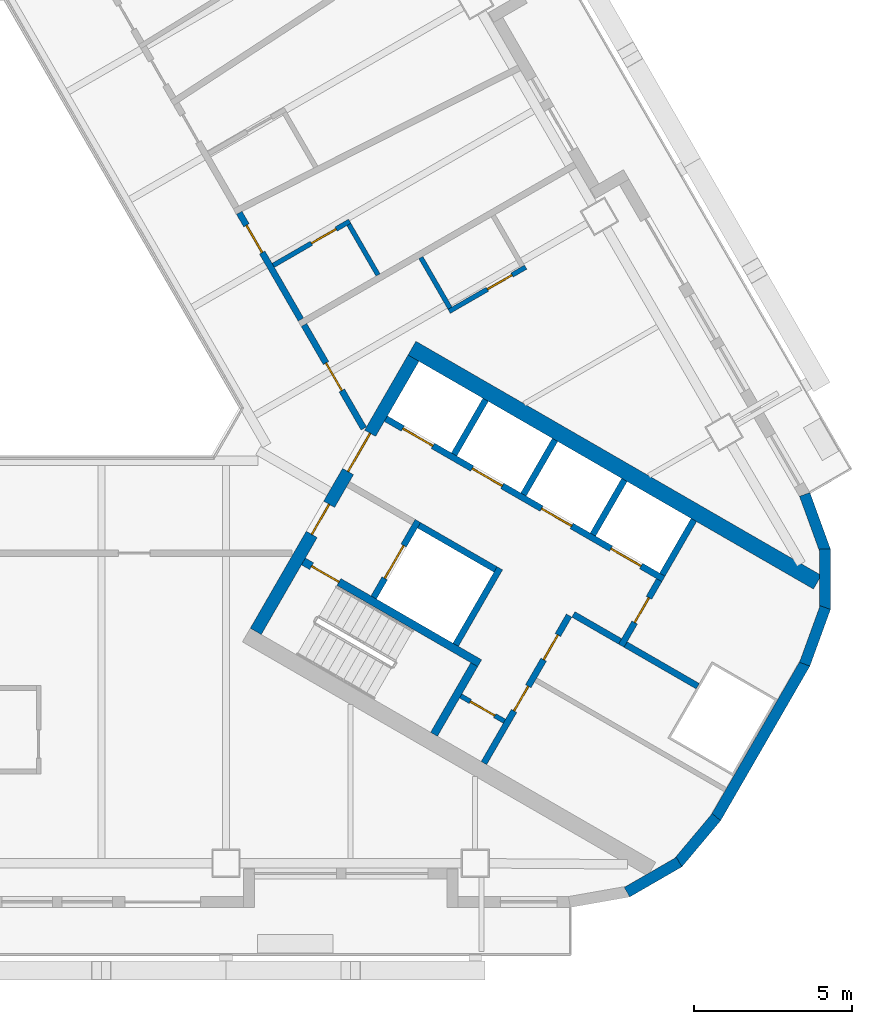
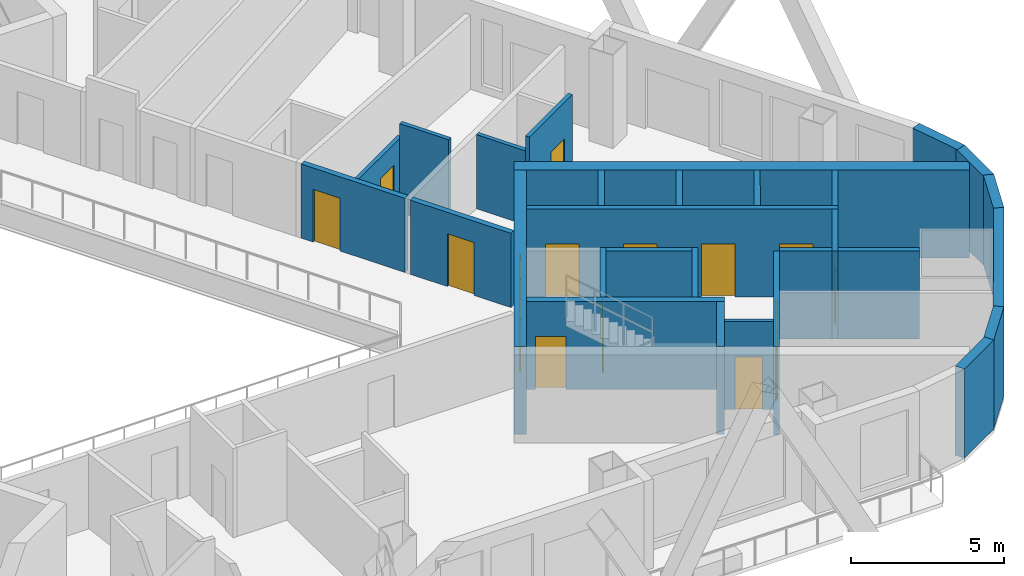
# One storey, part 5 of 14: 29 walls, 16 doors, 16 openings.
"""IFC4 building model written with IfcOpenShell, lengths in metres."""

from ifc_helpers import new_model, si_unit, direction, frame, frame_2d, origin, place, context, subcontext, project, spatial, rectangle, extrude, material, layer, layer_set, type_object, element, fill, save


model = new_model("IFC4")

# Units and contexts
model_context = context("Model", 3, precision=1e-05, world=origin(), true_north=direction((0.0, 1.0)))
body_context = subcontext(model_context, "Body", "Model", "MODEL_VIEW")
ifc_project = project(units=[si_unit("LENGTHUNIT", "METRE"), si_unit("AREAUNIT", "SQUARE_METRE"), si_unit("VOLUMEUNIT", "CUBIC_METRE"), si_unit("PLANEANGLEUNIT", "RADIAN"), si_unit("MASSUNIT", "GRAM", prefix="KILO")], contexts=[model_context])

# Site, building, storey
site_placement = place(None, origin())
site = spatial("IfcSite", under=ifc_project, at=site_placement, CompositionType="ELEMENT")
building_placement = place(site_placement, origin())
building = spatial("IfcBuilding", under=site, at=building_placement, Name="Apuvela Tower Hotel", CompositionType="ELEMENT")
storey_placement = place(building_placement, frame((0.0, 0.0, 120.5)))
storey = spatial("IfcBuildingStorey", under=building, at=storey_placement, Name="L28", CompositionType="ELEMENT", Elevation=120.5)

# Wall, openings, doors
ifc_material_1 = material(Name="Concrete C50/60", Category="concrete")
ifc_layer_1 = layer(ifc_material_1, 0.39990234375)
ifc_layer_set_1 = layer_set([ifc_layer_1], Name="COR-WALL-CORE-400")
wall_type_1 = type_object("IfcWallType", Name="COR-WALL-CORE-400", PredefinedType="SHEAR", material=ifc_layer_set_1)
wall_1_placement = place(storey_placement, frame((8.844970703125, -10.880126953125, 0.0), z_axis=(0.0, 0.0, 1.0), x_axis=(0.500004234368, 0.866022959057, 0.0)))
wall_1 = element("IfcWall", 1, at=wall_1_placement, inside=storey, type_object=wall_type_1, Name="Core wall SE", PredefinedType="SHEAR", context=body_context, shape_type="SweptSolid", body=[
    extrude(rectangle(XDim=10.0, YDim=0.39990234375, at=frame_2d((5.0, 0.0))), origin(), (0.0, 0.0, 1.0), 3.5),
])
opening_1_placement = place(wall_1_placement, frame((3.550048828125, 0.0, 0.0)))
opening_1 = element("IfcOpeningElement", 2, at=opening_1_placement, cuts=wall_1, Name="Opening E-FD", PredefinedType="OPENING", context=body_context, shape_type="SweptSolid", body=[
    extrude(rectangle(XDim=1.10009765625, YDim=2.10009765625, at=frame_2d((0.550048828125, 1.050048828125))), frame((0.0, 0.2099609375, 0.0), z_axis=(0.0, -1.0, 0.0), x_axis=(1.0, 0.0, 0.0)), (0.0, 0.0, 1.0), 0.419921875),
])
opening_2_placement = place(wall_1_placement, frame((5.85009765625, 0.0, 0.0)))
opening_2 = element("IfcOpeningElement", 3, at=opening_2_placement, cuts=wall_1, Name="Opening E-GD", PredefinedType="OPENING", context=body_context, shape_type="SweptSolid", body=[
    extrude(rectangle(XDim=1.39990234375, YDim=2.10009765625, at=frame_2d((0.699951171875, 1.050048828125))), frame((0.0, 0.2099609375, 0.0), z_axis=(0.0, -1.0, 0.0), x_axis=(1.0, 0.0, 0.0)), (0.0, 0.0, 1.0), 0.419921875),
])
ifc_material_2 = material(Name="Steel fire door, powder coated", Category="steel")
door_type_1 = type_object("IfcDoorType", Name="COR-FD-1100", OperationType="NOTDEFINED", PredefinedType="DOOR", material=ifc_material_2)
door_1_placement = place(opening_1_placement, frame((1.10009765625, 0.0, 0.0), z_axis=(0.0, 0.0, 1.0), x_axis=(-1.0, 0.0, 0.0)))
door_1 = element("IfcDoor", 4, at=door_1_placement, inside=storey, type_object=door_type_1, Name="Firefighting lobby door E-FD", OperationType="SINGLE_SWING_LEFT", OverallHeight=2.10009765625, OverallWidth=1.10009765625, PredefinedType="DOOR", context=body_context, shape_type="SweptSolid", body=[
    extrude(rectangle(XDim=1.10009765625, YDim=2.10009765625, at=frame_2d((0.550048828125, 1.050048828125))), frame((0.0, 0.02490234375, 0.0), z_axis=(0.0, -1.0, 0.0), x_axis=(1.0, 0.0, 0.0)), (0.0, 0.0, 1.0), 0.050048828125),
])
fill(opening_1, door_1)
ifc_material_3 = material(Name="Glazed steel fire door", Category="steel")
door_type_2 = type_object("IfcDoorType", Name="COR-GD-1400", OperationType="DOUBLE_DOOR_SINGLE_SWING", PredefinedType="DOOR", material=ifc_material_3)
door_2_placement = place(opening_2_placement, frame((1.39990234375, 0.0, 0.0), z_axis=(0.0, 0.0, 1.0), x_axis=(-1.0, 0.0, 0.0)))
door_2 = element("IfcDoor", 5, at=door_2_placement, inside=storey, type_object=door_type_2, Name="Lift lobby door E-GD", OperationType="DOUBLE_DOOR_SINGLE_SWING", OverallHeight=2.10009765625, OverallWidth=1.39990234375, PredefinedType="DOOR", context=body_context, shape_type="SweptSolid", body=[
    extrude(rectangle(XDim=1.39990234375, YDim=2.10009765625, at=frame_2d((0.699951171875, 1.050048828125))), frame((0.0, 0.02490234375, 0.0), z_axis=(0.0, -1.0, 0.0), x_axis=(1.0, 0.0, 0.0)), (0.0, 0.0, 1.0), 0.050048828125),
])
fill(opening_2, door_2)

# Wall
ifc_layer_2 = layer(ifc_material_1, 0.5)
ifc_layer_set_2 = layer_set([ifc_layer_2], Name="COR-WALL-CORE-500")
wall_type_2 = type_object("IfcWallType", Name="COR-WALL-CORE-500", PredefinedType="SHEAR", material=ifc_layer_set_2)
wall_2_placement = place(storey_placement, frame((13.796630859375, -1.9033203125, 0.0), z_axis=(0.0, 0.0, 1.0), x_axis=(0.866025009528, -0.500000682871, 0.0)))
element("IfcWall", 6, at=wall_2_placement, inside=storey, type_object=wall_type_2, Name="Core wall SE", PredefinedType="SHEAR", context=body_context, shape_type="SweptSolid", body=[
    extrude(rectangle(XDim=14.8369140625, YDim=0.5, at=frame_2d((7.41845703125, 0.0))), origin(), (0.0, 0.0, 1.0), 3.5),
])

# Wall, opening, door
ifc_material_4 = material(Name="Blockwork 150 mm plastered", Category="masonry")
ifc_layer_3 = layer(ifc_material_4, 0.14990234375)
ifc_layer_set_3 = layer_set([ifc_layer_3], Name="COR-WALL-PART-150")
wall_type_3 = type_object("IfcWallType", Name="COR-WALL-PART-150", PredefinedType="PARTITIONING", material=ifc_layer_set_3)
wall_3_placement = place(storey_placement, frame((15.341552734375, -12.927734375, 0.0), z_axis=(0.0, 0.0, 1.0), x_axis=(0.865989903783, -0.500061482766, 0.0)))
wall_3 = element("IfcWall", 7, at=wall_3_placement, inside=storey, type_object=wall_type_3, Name="Partition SE", PredefinedType="PARTITIONING", context=body_context, shape_type="SweptSolid", body=[
    extrude(rectangle(XDim=1.599853515625, YDim=0.14990234375, at=frame_2d((0.7998046875, 0.0))), origin(), (0.0, 0.0, 1.0), 3.5),
])
opening_3_placement = place(wall_3_placement, frame((0.35009765625, 0.0, 0.0)))
opening_3 = element("IfcOpeningElement", 8, at=opening_3_placement, cuts=wall_3, Name="Opening E-RD", PredefinedType="OPENING", context=body_context, shape_type="SweptSolid", body=[
    extrude(rectangle(XDim=0.89990234375, YDim=2.10009765625, at=frame_2d((0.449951171875, 1.050048828125))), frame((0.0, 0.0849609375, 0.0), z_axis=(0.0, -1.0, 0.0), x_axis=(1.0, 0.0, 0.0)), (0.0, 0.0, 1.0), 0.169921875),
])
ifc_material_5 = material(Name="Steel access door, powder coated", Category="steel")
door_type_3 = type_object("IfcDoorType", Name="COR-RD-900", OperationType="NOTDEFINED", PredefinedType="DOOR", material=ifc_material_5)
door_3_placement = place(opening_3_placement, frame((0.89990234375, 0.0, 0.0), z_axis=(0.0, 0.0, 1.0), x_axis=(-1.0, 0.0, 0.0)))
door_3 = element("IfcDoor", 9, at=door_3_placement, inside=storey, type_object=door_type_3, Name="Riser door E-RD", OperationType="SINGLE_SWING_LEFT", OverallHeight=2.10009765625, OverallWidth=0.89990234375, PredefinedType="DOOR", context=body_context, shape_type="SweptSolid", body=[
    extrude(rectangle(XDim=0.89990234375, YDim=2.10009765625, at=frame_2d((0.449951171875, 1.050048828125))), frame((0.0, 0.02490234375, 0.0), z_axis=(0.0, -1.0, 0.0), x_axis=(1.0, 0.0, 0.0)), (0.0, 0.0, 1.0), 0.050048828125),
])
fill(opening_3, door_3)

# Wall, openings, doors
ifc_material_6 = material(Name="Blockwork 200 mm plastered", Category="masonry")
ifc_layer_4 = layer(ifc_material_6, 0.199951171875)
ifc_layer_set_4 = layer_set([ifc_layer_4], Name="COR-WALL-PART-200")
wall_type_4 = type_object("IfcWallType", Name="COR-WALL-PART-200", PredefinedType="PARTITIONING", material=ifc_layer_set_4)
wall_4_placement = place(storey_placement, frame((16.076171875, -15.05517578125, 0.0), z_axis=(0.0, 0.0, 1.0), x_axis=(0.499995103361, 0.866028230842, 0.0)))
wall_4 = element("IfcWall", 10, at=wall_4_placement, inside=storey, type_object=wall_type_4, Name="Partition SE", PredefinedType="PARTITIONING", context=body_context, shape_type="SweptSolid", body=[
    extrude(rectangle(XDim=5.39990234375, YDim=0.199951171875, at=frame_2d((2.699951171875, 0.0))), origin(), (0.0, 0.0, 1.0), 3.5),
])
opening_4_placement = place(wall_4_placement, frame((1.91259765625, 0.0, 0.0)))
opening_4 = element("IfcOpeningElement", 11, at=opening_4_placement, cuts=wall_4, Name="Opening E-RS1", PredefinedType="OPENING", context=body_context, shape_type="SweptSolid", body=[
    extrude(rectangle(XDim=0.89990234375, YDim=2.10009765625, at=frame_2d((0.449951171875, 1.050048828125))), frame((0.0, 0.10986328125, 0.0), z_axis=(0.0, -1.0, 0.0), x_axis=(1.0, 0.0, 0.0)), (0.0, 0.0, 1.0), 0.219970703125),
])
opening_5_placement = place(wall_4_placement, frame((3.78759765625, 0.0, 0.0)))
opening_5 = element("IfcOpeningElement", 12, at=opening_5_placement, cuts=wall_4, Name="Opening E-RS2", PredefinedType="OPENING", context=body_context, shape_type="SweptSolid", body=[
    extrude(rectangle(XDim=0.89990234375, YDim=2.10009765625, at=frame_2d((0.449951171875, 1.050048828125))), frame((0.0, 0.10986328125, 0.0), z_axis=(0.0, -1.0, 0.0), x_axis=(1.0, 0.0, 0.0)), (0.0, 0.0, 1.0), 0.219970703125),
])
door_type_4 = type_object("IfcDoorType", Name="COR-DR-900", OperationType="NOTDEFINED", PredefinedType="DOOR", material=ifc_material_2)
door_4_placement = place(opening_4_placement, frame((0.89990234375, 0.0, 0.0), z_axis=(0.0, 0.0, 1.0), x_axis=(-1.0, 0.0, 0.0)))
door_4 = element("IfcDoor", 13, at=door_4_placement, inside=storey, type_object=door_type_4, Name="Store door E-RS1", OperationType="SINGLE_SWING_LEFT", OverallHeight=2.10009765625, OverallWidth=0.89990234375, PredefinedType="DOOR", context=body_context, shape_type="SweptSolid", body=[
    extrude(rectangle(XDim=0.89990234375, YDim=2.10009765625, at=frame_2d((0.449951171875, 1.050048828125))), frame((0.0, 0.02490234375, 0.0), z_axis=(0.0, -1.0, 0.0), x_axis=(1.0, 0.0, 0.0)), (0.0, 0.0, 1.0), 0.050048828125),
])
fill(opening_4, door_4)
door_5_placement = place(opening_5_placement, frame((0.89990234375, 0.0, 0.0), z_axis=(0.0, 0.0, 1.0), x_axis=(-1.0, 0.0, 0.0)))
door_5 = element("IfcDoor", 14, at=door_5_placement, inside=storey, type_object=door_type_4, Name="Store door E-RS2", OperationType="SINGLE_SWING_LEFT", OverallHeight=2.10009765625, OverallWidth=0.89990234375, PredefinedType="DOOR", context=body_context, shape_type="SweptSolid", body=[
    extrude(rectangle(XDim=0.89990234375, YDim=2.10009765625, at=frame_2d((0.449951171875, 1.050048828125))), frame((0.0, 0.02490234375, 0.0), z_axis=(0.0, -1.0, 0.0), x_axis=(1.0, 0.0, 0.0)), (0.0, 0.0, 1.0), 0.050048828125),
])
fill(opening_5, door_5)

# Wall
ifc_layer_5 = layer(ifc_material_1, 0.199951171875)
ifc_layer_set_5 = layer_set([ifc_layer_5], Name="COR-WALL-SHAFT-200")
wall_type_5 = type_object("IfcWallType", Name="COR-WALL-SHAFT-200", PredefinedType="SHEAR", material=ifc_layer_set_5)
wall_5_placement = place(storey_placement, frame((15.181396484375, -11.305419921875, 0.0), z_axis=(0.0, 0.0, 1.0), x_axis=(0.49994636267, 0.866056369097, 0.0)))
element("IfcWall", 15, at=wall_5_placement, inside=storey, type_object=wall_type_5, Name="Shaft wall SE", PredefinedType="SHEAR", context=body_context, shape_type="SweptSolid", body=[
    extrude(rectangle(XDim=2.800048828125, YDim=0.199951171875, at=frame_2d((1.39990234375, 0.0))), origin(), (0.0, 0.0, 1.0), 3.5),
])

# Wall, opening, door
wall_6_placement = place(storey_placement, frame((12.583251953125, -9.805419921875, 0.0), z_axis=(0.0, 0.0, 1.0), x_axis=(0.49994636267, 0.866056369097, 0.0)))
wall_6 = element("IfcWall", 16, at=wall_6_placement, inside=storey, type_object=wall_type_5, Name="Shaft wall SE", PredefinedType="SHEAR", context=body_context, shape_type="SweptSolid", body=[
    extrude(rectangle(XDim=2.800048828125, YDim=0.199951171875, at=frame_2d((1.39990234375, 0.0))), origin(), (0.0, 0.0, 1.0), 3.5),
])
opening_6_placement = place(wall_6_placement, frame((0.699951171875, 0.0, 0.0)))
opening_6 = element("IfcOpeningElement", 17, at=opening_6_placement, cuts=wall_6, Name="Opening E-LD-FS3", PredefinedType="OPENING", context=body_context, shape_type="SweptSolid", body=[
    extrude(rectangle(XDim=1.199951171875, YDim=2.10009765625, at=frame_2d((0.60009765625, 1.050048828125))), frame((0.0, 0.10986328125, 0.0), z_axis=(0.0, -1.0, 0.0), x_axis=(1.0, 0.0, 0.0)), (0.0, 0.0, 1.0), 0.219970703125),
])
ifc_material_7 = material(Name="Stainless steel lift landing door", Category="steel")
door_type_5 = type_object("IfcDoorType", Name="COR-LD-1200", OperationType="DOUBLE_DOOR_SLIDING", PredefinedType="DOOR", material=ifc_material_7)
door_6_placement = place(opening_6_placement, origin())
door_6 = element("IfcDoor", 18, at=door_6_placement, inside=storey, type_object=door_type_5, Name="Lift landing door E-LD-FS3", OperationType="DOUBLE_DOOR_SLIDING", OverallHeight=2.10009765625, OverallWidth=1.199951171875, PredefinedType="DOOR", context=body_context, shape_type="SweptSolid", body=[
    extrude(rectangle(XDim=1.199951171875, YDim=2.10009765625, at=frame_2d((0.60009765625, 1.050048828125))), frame((0.0, 0.02490234375, 0.0), z_axis=(0.0, -1.0, 0.0), x_axis=(1.0, 0.0, 0.0)), (0.0, 0.0, 1.0), 0.050048828125),
])
fill(opening_6, door_6)

# Wall
wall_7_placement = place(storey_placement, frame((14.019775390625, -7.51708984375, 0.0), z_axis=(0.0, 0.0, 1.0), x_axis=(0.866034573852, -0.49998411664, 0.0)))
element("IfcWall", 19, at=wall_7_placement, inside=storey, type_object=wall_type_5, Name="Shaft wall SE", PredefinedType="SHEAR", context=body_context, shape_type="SweptSolid", body=[
    extrude(rectangle(XDim=2.7998046875, YDim=0.199951171875, at=frame_2d((1.39990234375, 0.0))), origin(), (0.0, 0.0, 1.0), 3.5),
])

# Wall, openings, doors
wall_8_placement = place(storey_placement, frame((12.968017578125, -4.138427734375, 0.0), z_axis=(0.0, 0.0, 1.0), x_axis=(0.866028328073, -0.49999493495, 0.0)))
wall_8 = element("IfcWall", 20, at=wall_8_placement, inside=storey, type_object=wall_type_5, Name="Shaft wall SE", PredefinedType="SHEAR", context=body_context, shape_type="SweptSolid", body=[
    extrude(rectangle(XDim=10.16015625, YDim=0.199951171875, at=frame_2d((5.080078125, 0.0))), origin(), (0.0, 0.0, 1.0), 3.5),
])
opening_7_placement = place(wall_8_placement, frame((0.6201171875, 0.0, 0.0)))
opening_7 = element("IfcOpeningElement", 21, at=opening_7_placement, cuts=wall_8, Name="Opening E-LD-LR1", PredefinedType="OPENING", context=body_context, shape_type="SweptSolid", body=[
    extrude(rectangle(XDim=1.10009765625, YDim=2.10009765625, at=frame_2d((0.550048828125, 1.050048828125))), frame((0.0, 0.10986328125, 0.0), z_axis=(0.0, -1.0, 0.0), x_axis=(1.0, 0.0, 0.0)), (0.0, 0.0, 1.0), 0.219970703125),
])
opening_8_placement = place(wall_8_placement, frame((3.159912109375, 0.0, 0.0)))
opening_8 = element("IfcOpeningElement", 22, at=opening_8_placement, cuts=wall_8, Name="Opening E-LD-LR2", PredefinedType="OPENING", context=body_context, shape_type="SweptSolid", body=[
    extrude(rectangle(XDim=1.10009765625, YDim=2.10009765625, at=frame_2d((0.550048828125, 1.050048828125))), frame((0.0, 0.10986328125, 0.0), z_axis=(0.0, -1.0, 0.0), x_axis=(1.0, 0.0, 0.0)), (0.0, 0.0, 1.0), 0.219970703125),
])
opening_9_placement = place(wall_8_placement, frame((5.699951171875, 0.0, 0.0)))
opening_9 = element("IfcOpeningElement", 23, at=opening_9_placement, cuts=wall_8, Name="Opening E-LD-LR3", PredefinedType="OPENING", context=body_context, shape_type="SweptSolid", body=[
    extrude(rectangle(XDim=1.10009765625, YDim=2.10009765625, at=frame_2d((0.550048828125, 1.050048828125))), frame((0.0, 0.10986328125, 0.0), z_axis=(0.0, -1.0, 0.0), x_axis=(1.0, 0.0, 0.0)), (0.0, 0.0, 1.0), 0.219970703125),
])
opening_10_placement = place(wall_8_placement, frame((8.239990234375, 0.0, 0.0)))
opening_10 = element("IfcOpeningElement", 24, at=opening_10_placement, cuts=wall_8, Name="Opening E-LD-LR4", PredefinedType="OPENING", context=body_context, shape_type="SweptSolid", body=[
    extrude(rectangle(XDim=1.10009765625, YDim=2.10009765625, at=frame_2d((0.550048828125, 1.050048828125))), frame((0.0, 0.10986328125, 0.0), z_axis=(0.0, -1.0, 0.0), x_axis=(1.0, 0.0, 0.0)), (0.0, 0.0, 1.0), 0.219970703125),
])
door_type_6 = type_object("IfcDoorType", Name="COR-LD-1100", OperationType="DOUBLE_DOOR_SLIDING", PredefinedType="DOOR", material=ifc_material_7)
door_7_placement = place(opening_7_placement, origin())
door_7 = element("IfcDoor", 25, at=door_7_placement, inside=storey, type_object=door_type_6, Name="Lift landing door E-LD-LR1", OperationType="DOUBLE_DOOR_SLIDING", OverallHeight=2.10009765625, OverallWidth=1.10009765625, PredefinedType="DOOR", context=body_context, shape_type="SweptSolid", body=[
    extrude(rectangle(XDim=1.10009765625, YDim=2.10009765625, at=frame_2d((0.550048828125, 1.050048828125))), frame((0.0, 0.02490234375, 0.0), z_axis=(0.0, -1.0, 0.0), x_axis=(1.0, 0.0, 0.0)), (0.0, 0.0, 1.0), 0.050048828125),
])
fill(opening_7, door_7)
door_8_placement = place(opening_8_placement, origin())
door_8 = element("IfcDoor", 26, at=door_8_placement, inside=storey, type_object=door_type_6, Name="Lift landing door E-LD-LR2", OperationType="DOUBLE_DOOR_SLIDING", OverallHeight=2.10009765625, OverallWidth=1.10009765625, PredefinedType="DOOR", context=body_context, shape_type="SweptSolid", body=[
    extrude(rectangle(XDim=1.10009765625, YDim=2.10009765625, at=frame_2d((0.550048828125, 1.050048828125))), frame((0.0, 0.02490234375, 0.0), z_axis=(0.0, -1.0, 0.0), x_axis=(1.0, 0.0, 0.0)), (0.0, 0.0, 1.0), 0.050048828125),
])
fill(opening_8, door_8)
door_9_placement = place(opening_9_placement, origin())
door_9 = element("IfcDoor", 27, at=door_9_placement, inside=storey, type_object=door_type_6, Name="Lift landing door E-LD-LR3", OperationType="DOUBLE_DOOR_SLIDING", OverallHeight=2.10009765625, OverallWidth=1.10009765625, PredefinedType="DOOR", context=body_context, shape_type="SweptSolid", body=[
    extrude(rectangle(XDim=1.10009765625, YDim=2.10009765625, at=frame_2d((0.550048828125, 1.050048828125))), frame((0.0, 0.02490234375, 0.0), z_axis=(0.0, -1.0, 0.0), x_axis=(1.0, 0.0, 0.0)), (0.0, 0.0, 1.0), 0.050048828125),
])
fill(opening_9, door_9)
door_10_placement = place(opening_10_placement, origin())
door_10 = element("IfcDoor", 28, at=door_10_placement, inside=storey, type_object=door_type_6, Name="Lift landing door E-LD-LR4", OperationType="DOUBLE_DOOR_SLIDING", OverallHeight=2.10009765625, OverallWidth=1.10009765625, PredefinedType="DOOR", context=body_context, shape_type="SweptSolid", body=[
    extrude(rectangle(XDim=1.10009765625, YDim=2.10009765625, at=frame_2d((0.550048828125, 1.050048828125))), frame((0.0, 0.02490234375, 0.0), z_axis=(0.0, -1.0, 0.0), x_axis=(1.0, 0.0, 0.0)), (0.0, 0.0, 1.0), 0.050048828125),
])
fill(opening_10, door_10)

# Wall, opening, door
wall_9_placement = place(storey_placement, frame((20.430419921875, -11.33349609375, 0.0), z_axis=(0.0, 0.0, 1.0), x_axis=(0.500001309137, 0.866024647952, 0.0)))
wall_9 = element("IfcWall", 29, at=wall_9_placement, inside=storey, type_object=wall_type_5, Name="Shaft wall SE", PredefinedType="SHEAR", context=body_context, shape_type="SweptSolid", body=[
    extrude(rectangle(XDim=2.39990234375, YDim=0.199951171875, at=frame_2d((1.199951171875, 0.0))), origin(), (0.0, 0.0, 1.0), 3.5),
])
opening_11_placement = place(wall_9_placement, frame((0.85009765625, 0.0, 0.0)))
opening_11 = element("IfcOpeningElement", 30, at=opening_11_placement, cuts=wall_9, Name="Opening E-REP", PredefinedType="OPENING", context=body_context, shape_type="SweptSolid", body=[
    extrude(rectangle(XDim=0.89990234375, YDim=2.10009765625, at=frame_2d((0.449951171875, 1.050048828125))), frame((0.0, 0.10986328125, 0.0), z_axis=(0.0, -1.0, 0.0), x_axis=(1.0, 0.0, 0.0)), (0.0, 0.0, 1.0), 0.219970703125),
])
door_11_placement = place(opening_11_placement, frame((0.89990234375, 0.0, 0.0), z_axis=(0.0, 0.0, 1.0), x_axis=(-1.0, 0.0, 0.0)))
door_11 = element("IfcDoor", 31, at=door_11_placement, inside=storey, type_object=door_type_4, Name="Store door E-REP", OperationType="SINGLE_SWING_RIGHT", OverallHeight=2.10009765625, OverallWidth=0.89990234375, PredefinedType="DOOR", context=body_context, shape_type="SweptSolid", body=[
    extrude(rectangle(XDim=0.89990234375, YDim=2.10009765625, at=frame_2d((0.449951171875, 1.050048828125))), frame((0.0, 0.02490234375, 0.0), z_axis=(0.0, -1.0, 0.0), x_axis=(1.0, 0.0, 0.0)), (0.0, 0.0, 1.0), 0.050048828125),
])
fill(opening_11, door_11)

# Walls
wall_10_placement = place(storey_placement, frame((18.912841796875, -10.342041015625, 0.0), z_axis=(0.0, 0.0, 1.0), x_axis=(0.866038183914, -0.499977863513, 0.0)))
element("IfcWall", 32, at=wall_10_placement, inside=storey, type_object=wall_type_5, Name="Shaft wall SE", PredefinedType="SHEAR", context=body_context, shape_type="SweptSolid", body=[
    extrude(rectangle(XDim=1.7099609375, YDim=0.199951171875, at=frame_2d((0.85498046875, 0.0))), origin(), (0.0, 0.0, 1.0), 3.5),
])
for number, where, z_axis, x_axis, name in (
    (33, (15.131103515625, -5.27197265625, 0.0), (0.0, 0.0, 1.0), (0.499972520799, 0.866041268327, 0.0), "Shaft wall SE"),
    (34, (17.330810546875, -6.5419921875, 0.0), (0.0, 0.0, 1.0), (0.499972520799, 0.866041268327, 0.0), "Shaft wall SE"),
    (35, (19.530517578125, -7.81201171875, 0.0), (0.0, 0.0, 1.0), (0.499972520799, 0.866041268327, 0.0), "Shaft wall SE"),
    (36, (21.73046875, -9.081787109375, 0.0), (0.0, 0.0, 1.0), (0.50002537861, 0.866010750942, 0.0), "Shaft wall SE"),
):
    element("IfcWall", number, at=place(storey_placement, frame(where, z_axis=z_axis, x_axis=x_axis)), inside=storey, type_object=wall_type_5, Name=name, PredefinedType="SHEAR", context=body_context, shape_type="SweptSolid", body=[
        extrude(rectangle(XDim=2.0, YDim=0.199951171875, at=frame_2d((1.0, 0.0))), origin(), (0.0, 0.0, 1.0), 3.5),
    ])
wall_11_placement = place(storey_placement, frame((20.56689453125, -11.297119140625, 0.0), z_axis=(0.0, 0.0, 1.0), x_axis=(0.866060851709, -0.499938597367, 0.0)))
element("IfcWall", 37, at=wall_11_placement, inside=storey, type_object=wall_type_5, Name="Shaft wall SE", PredefinedType="SHEAR", context=body_context, shape_type="SweptSolid", body=[
    extrude(rectangle(XDim=2.639892578125, YDim=0.199951171875, at=frame_2d((1.31982421875, 0.0))), origin(), (0.0, 0.0, 1.0), 3.5),
])

# Wall, opening, door
ifc_layer_6 = layer(ifc_material_1, 0.25)
ifc_layer_set_6 = layer_set([ifc_layer_6], Name="COR-WALL-STAIR-250")
wall_type_6 = type_object("IfcWallType", Name="COR-WALL-STAIR-250", PredefinedType="SHEAR", material=ifc_layer_set_6)
wall_12_placement = place(storey_placement, frame((10.355712890625, -8.66357421875, 0.0), z_axis=(0.0, 0.0, 1.0), x_axis=(0.866028629588, -0.499994412703, 0.0)))
wall_12 = element("IfcWall", 38, at=wall_12_placement, inside=storey, type_object=wall_type_6, Name="Stair wall SE", PredefinedType="SHEAR", context=body_context, shape_type="SweptSolid", body=[
    extrude(rectangle(XDim=6.44970703125, YDim=0.25, at=frame_2d((3.224853515625, 0.0))), origin(), (0.0, 0.0, 1.0), 3.5),
])
opening_12_placement = place(wall_12_placement, frame((0.300048828125, 0.0, 0.0)))
opening_12 = element("IfcOpeningElement", 39, at=opening_12_placement, cuts=wall_12, Name="Opening E-SD", PredefinedType="OPENING", context=body_context, shape_type="SweptSolid", body=[
    extrude(rectangle(XDim=1.0, YDim=2.10009765625, at=frame_2d((0.5, 1.050048828125))), frame((0.0, 0.135009765625, 0.0), z_axis=(0.0, -1.0, 0.0), x_axis=(1.0, 0.0, 0.0)), (0.0, 0.0, 1.0), 0.27001953125),
])
door_type_7 = type_object("IfcDoorType", Name="COR-SD-1000", OperationType="NOTDEFINED", PredefinedType="DOOR", material=ifc_material_2)
door_12_placement = place(opening_12_placement, frame((1.0, 0.0, 0.0), z_axis=(0.0, 0.0, 1.0), x_axis=(-1.0, 0.0, 0.0)))
door_12 = element("IfcDoor", 40, at=door_12_placement, inside=storey, type_object=door_type_7, Name="Stair door E-SD", OperationType="SINGLE_SWING_LEFT", OverallHeight=2.10009765625, OverallWidth=1.0, PredefinedType="DOOR", context=body_context, shape_type="SweptSolid", body=[
    extrude(rectangle(XDim=1.0, YDim=2.10009765625, at=frame_2d((0.5, 1.050048828125))), frame((0.0, 0.02490234375, 0.0), z_axis=(0.0, -1.0, 0.0), x_axis=(1.0, 0.0, 0.0)), (0.0, 0.0, 1.0), 0.050048828125),
])
fill(opening_12, door_12)

# Walls
wall_13_placement = place(storey_placement, frame((14.49560546875, -14.142578125, 0.0), z_axis=(0.0, 0.0, 1.0), x_axis=(0.500062241894, 0.865989465428, 0.0)))
element("IfcWall", 41, at=wall_13_placement, inside=storey, type_object=wall_type_6, Name="Stair wall SE", PredefinedType="SHEAR", context=body_context, shape_type="SweptSolid", body=[
    extrude(rectangle(XDim=2.550048828125, YDim=0.25, at=frame_2d((1.27490234375, 0.0))), origin(), (0.0, 0.0, 1.0), 3.5),
])
ifc_material_8 = material(Name="Concrete C40/50, dark pigmented precast panel", Category="concrete")
ifc_layer_7 = layer(ifc_material_8, 0.35009765625)
ifc_layer_set_7 = layer_set([ifc_layer_7], Name="ENV-WALL-350")
wall_type_7 = type_object("IfcWallType", Name="ENV-WALL-350", PredefinedType="SOLIDWALL", material=ifc_layer_set_7)
for number, where, z_axis, x_axis, name in (
    (42, (20.609619140625, -19.146728515625, 0.0), (0.0, 0.0, 1.0), (0.866000389056, 0.500043324278, 0.0), "External wall L28-27"),
    (43, (22.21728515625, -18.230712890625, 0.0), (0.0, 0.0, 1.0), (0.642733291068, 0.76609001857, 0.0), "External wall L28-28"),
):
    element("IfcWall", number, at=place(storey_placement, frame(where, z_axis=z_axis, x_axis=x_axis)), inside=storey, type_object=wall_type_7, Name=name, PredefinedType="SOLIDWALL", context=body_context, shape_type="SweptSolid", body=[
        extrude(rectangle(XDim=1.909912109375, YDim=0.35009765625, at=frame_2d((0.955078125, 0.0))), origin(), (0.0, 0.0, 1.0), 3.550048828125),
    ])
wall_14_placement = place(storey_placement, frame((23.427490234375, -16.79248046875, 0.0), z_axis=(0.0, 0.0, 1.0), x_axis=(0.500018773155, 0.866014564827, 0.0)))
element("IfcWall", 44, at=wall_14_placement, inside=storey, type_object=wall_type_7, Name="External wall L28-29", PredefinedType="SOLIDWALL", context=body_context, shape_type="SweptSolid", body=[
    extrude(rectangle(XDim=5.657958984375, YDim=0.35009765625, at=frame_2d((2.8291015625, 0.0))), origin(), (0.0, 0.0, 1.0), 3.550048828125),
])
for number, where, z_axis, x_axis, name in (
    (45, (26.24365234375, -11.920166015625, 0.0), (0.0, 0.0, 1.0), (0.342030395486, 0.939688889242, 0.0), "External wall L28-30"),
    (46, (26.88623046875, -10.18505859375, 0.0), (0.0, 0.0, 1.0), (0.0, 1.0, 0.0), "External wall L28-31"),
    (47, (26.89697265625, -8.334716796875, 0.0), (0.0, 0.0, 1.0), (-0.342030395486, 0.939688889242, 0.0), "External wall L28-32"),
):
    element("IfcWall", number, at=place(storey_placement, frame(where, z_axis=z_axis, x_axis=x_axis)), inside=storey, type_object=wall_type_7, Name=name, PredefinedType="SOLIDWALL", context=body_context, shape_type="SweptSolid", body=[
        extrude(rectangle(XDim=1.91015625, YDim=0.35009765625, at=frame_2d((0.955078125, 0.0))), origin(), (0.0, 0.0, 1.0), 3.550048828125),
    ])

# Wall, opening, door
ifc_material_9 = material(Name="Gypsum board corridor wall on twin steel stud, acoustic", Category="steel")
ifc_layer_8 = layer(ifc_material_9, 0.199951171875)
ifc_layer_set_8 = layer_set([ifc_layer_8], Name="GST-PW2")
wall_type_8 = type_object("IfcWallType", Name="GST-PW2", PredefinedType="PARTITIONING", material=ifc_layer_set_8)
wall_15_placement = place(storey_placement, frame((10.37451171875, -1.16943359375, 0.0), z_axis=(0.0, 0.0, 1.0), x_axis=(0.500055316652, -0.865993464345, 0.0)))
wall_15 = element("IfcWall", 48, at=wall_15_placement, inside=storey, type_object=wall_type_8, Name="L28 partition 20", PredefinedType="PARTITIONING", context=body_context, shape_type="SweptSolid", body=[
    extrude(rectangle(XDim=3.7880859375, YDim=0.199951171875, at=frame_2d((1.89404296875, 0.0))), origin(), (0.0, 0.0, 1.0), 2.949951171875),
])
opening_13_placement = place(wall_15_placement, frame((1.39404296875, 0.0, 0.0)))
opening_13 = element("IfcOpeningElement", 49, at=opening_13_placement, cuts=wall_15, Name="Opening GD10-08", PredefinedType="OPENING", context=body_context, shape_type="SweptSolid", body=[
    extrude(rectangle(XDim=1.0, YDim=2.10009765625, at=frame_2d((0.5, 1.050048828125))), frame((0.0, 0.10986328125, 0.0), z_axis=(0.0, -1.0, 0.0), x_axis=(1.0, 0.0, 0.0)), (0.0, 0.0, 1.0), 0.219970703125),
])
ifc_material_10 = material(Name="Timber door leaf in steel frame", Category="steel")
door_type_8 = type_object("IfcDoorType", Name="GST-D1", OperationType="NOTDEFINED", PredefinedType="DOOR", material=ifc_material_10)
door_13_placement = place(opening_13_placement, origin())
door_13 = element("IfcDoor", 50, at=door_13_placement, inside=storey, type_object=door_type_8, Name="Door L28-08", OperationType="SINGLE_SWING_LEFT", OverallHeight=2.10009765625, OverallWidth=1.0, PredefinedType="DOOR", context=body_context, shape_type="SweptSolid", body=[
    extrude(rectangle(XDim=1.0, YDim=2.10009765625, at=frame_2d((0.5, 1.050048828125))), frame((0.0, 0.02490234375, 0.0), z_axis=(0.0, -1.0, 0.0), x_axis=(1.0, 0.0, 0.0)), (0.0, 0.0, 1.0), 0.050048828125),
])
fill(opening_13, door_13)

wall_16_placement = place(storey_placement, frame((8.322021484375, 2.385986328125, 0.0), z_axis=(0.0, 0.0, 1.0), x_axis=(0.499998439657, -0.866026304647, 0.0)))
wall_16 = element("IfcWall", 51, at=wall_16_placement, inside=storey, type_object=wall_type_8, Name="L28 partition 24", PredefinedType="PARTITIONING", context=body_context, shape_type="SweptSolid", body=[
    extrude(rectangle(XDim=3.9052734375, YDim=0.199951171875, at=frame_2d((1.95263671875, 0.0))), origin(), (0.0, 0.0, 1.0), 2.949951171875),
])
opening_14_placement = place(wall_16_placement, frame((0.455322265625, 0.0, 0.0)))
opening_14 = element("IfcOpeningElement", 52, at=opening_14_placement, cuts=wall_16, Name="Opening GD10-10", PredefinedType="OPENING", context=body_context, shape_type="SweptSolid", body=[
    extrude(rectangle(XDim=1.0, YDim=2.10009765625, at=frame_2d((0.5, 1.050048828125))), frame((0.0, 0.10986328125, 0.0), z_axis=(0.0, -1.0, 0.0), x_axis=(1.0, 0.0, 0.0)), (0.0, 0.0, 1.0), 0.219970703125),
])
door_14_placement = place(opening_14_placement, origin())
door_14 = element("IfcDoor", 53, at=door_14_placement, inside=storey, type_object=door_type_8, Name="Door L28-10", OperationType="SINGLE_SWING_LEFT", OverallHeight=2.10009765625, OverallWidth=1.0, PredefinedType="DOOR", context=body_context, shape_type="SweptSolid", body=[
    extrude(rectangle(XDim=1.0, YDim=2.10009765625, at=frame_2d((0.5, 1.050048828125))), frame((0.0, 0.02490234375, 0.0), z_axis=(0.0, -1.0, 0.0), x_axis=(1.0, 0.0, 0.0)), (0.0, 0.0, 1.0), 0.050048828125),
])
fill(opening_14, door_14)

ifc_material_11 = material(Name="Moisture-resistant gypsum board wet wall on steel stud", Category="steel")
ifc_layer_9 = layer(ifc_material_11, 0.14990234375)
ifc_layer_set_9 = layer_set([ifc_layer_9], Name="GST-PW3")
wall_type_9 = type_object("IfcWallType", Name="GST-PW3", PredefinedType="PARTITIONING", material=ifc_layer_set_9)
wall_17_placement = place(storey_placement, frame((14.974365234375, -0.736572265625, 0.0), z_axis=(0.0, 0.0, 1.0), x_axis=(0.866018616679, 0.500011755427, 0.0)))
wall_17 = element("IfcWall", 54, at=wall_17_placement, inside=storey, type_object=wall_type_9, Name="L28 partition 21", PredefinedType="PARTITIONING", context=body_context, shape_type="SweptSolid", body=[
    extrude(rectangle(XDim=2.80029296875, YDim=0.14990234375, at=frame_2d((1.400146484375, 0.0))), origin(), (0.0, 0.0, 1.0), 3.550048828125),
])
opening_15_placement = place(wall_17_placement, frame((1.39990234375, 0.0, 0.0)))
opening_15 = element("IfcOpeningElement", 55, at=opening_15_placement, cuts=wall_17, Name="Opening GD10-07", PredefinedType="OPENING", context=body_context, shape_type="SweptSolid", body=[
    extrude(rectangle(XDim=0.89990234375, YDim=2.10009765625, at=frame_2d((0.449951171875, 1.050048828125))), frame((0.0, 0.0849609375, 0.0), z_axis=(0.0, -1.0, 0.0), x_axis=(1.0, 0.0, 0.0)), (0.0, 0.0, 1.0), 0.169921875),
])
door_type_9 = type_object("IfcDoorType", Name="GST-D2", OperationType="NOTDEFINED", PredefinedType="DOOR", material=ifc_material_10)
door_15_placement = place(opening_15_placement, origin())
door_15 = element("IfcDoor", 56, at=door_15_placement, inside=storey, type_object=door_type_9, Name="Door L28-07", OperationType="SINGLE_SWING_RIGHT", OverallHeight=2.10009765625, OverallWidth=0.89990234375, PredefinedType="DOOR", context=body_context, shape_type="SweptSolid", body=[
    extrude(rectangle(XDim=0.89990234375, YDim=2.10009765625, at=frame_2d((0.449951171875, 1.050048828125))), frame((0.0, 0.02490234375, 0.0), z_axis=(0.0, -1.0, 0.0), x_axis=(1.0, 0.0, 0.0)), (0.0, 0.0, 1.0), 0.050048828125),
])
fill(opening_15, door_15)

# Wall
wall_18_placement = place(storey_placement, frame((15.001953125, -0.634033203125, 0.0), z_axis=(0.0, 0.0, 1.0), x_axis=(-0.500042316284, 0.866000971088, 0.0)))
element("IfcWall", 57, at=wall_18_placement, inside=storey, type_object=wall_type_9, Name="L28 partition 23", PredefinedType="PARTITIONING", context=body_context, shape_type="SweptSolid", body=[
    extrude(rectangle(XDim=1.849853515625, YDim=0.14990234375, at=frame_2d((0.9248046875, 0.0))), origin(), (0.0, 0.0, 1.0), 2.949951171875),
])

# Wall, opening, door
wall_19_placement = place(storey_placement, frame((11.823486328125, 2.120849609375, 0.0), z_axis=(0.0, 0.0, 1.0), x_axis=(-0.866034573852, -0.49998411664, 0.0)))
wall_19 = element("IfcWall", 58, at=wall_19_placement, inside=storey, type_object=wall_type_9, Name="L28 partition 25", PredefinedType="PARTITIONING", context=body_context, shape_type="SweptSolid", body=[
    extrude(rectangle(XDim=2.7998046875, YDim=0.14990234375, at=frame_2d((1.39990234375, 0.0))), origin(), (0.0, 0.0, 1.0), 2.949951171875),
])
opening_16_placement = place(wall_19_placement, frame((0.5, 0.0, 0.0)))
opening_16 = element("IfcOpeningElement", 59, at=opening_16_placement, cuts=wall_19, Name="Opening GD10-09", PredefinedType="OPENING", context=body_context, shape_type="SweptSolid", body=[
    extrude(rectangle(XDim=0.89990234375, YDim=2.10009765625, at=frame_2d((0.449951171875, 1.050048828125))), frame((0.0, 0.0849609375, 0.0), z_axis=(0.0, -1.0, 0.0), x_axis=(1.0, 0.0, 0.0)), (0.0, 0.0, 1.0), 0.169921875),
])
door_16_placement = place(opening_16_placement, origin())
door_16 = element("IfcDoor", 60, at=door_16_placement, inside=storey, type_object=door_type_9, Name="Door L28-09", OperationType="SINGLE_SWING_LEFT", OverallHeight=2.10009765625, OverallWidth=0.89990234375, PredefinedType="DOOR", context=body_context, shape_type="SweptSolid", body=[
    extrude(rectangle(XDim=0.89990234375, YDim=2.10009765625, at=frame_2d((0.449951171875, 1.050048828125))), frame((0.0, 0.02490234375, 0.0), z_axis=(0.0, -1.0, 0.0), x_axis=(1.0, 0.0, 0.0)), (0.0, 0.0, 1.0), 0.050048828125),
])
fill(opening_16, door_16)

# Wall
wall_20_placement = place(storey_placement, frame((12.72119140625, 0.416259765625, 0.0), z_axis=(0.0, 0.0, 1.0), x_axis=(-0.499985172903, 0.866033964044, 0.0)))
element("IfcWall", 61, at=wall_20_placement, inside=storey, type_object=wall_type_9, Name="L28 partition 26", PredefinedType="PARTITIONING", context=body_context, shape_type="SweptSolid", body=[
    extrude(rectangle(XDim=1.85009765625, YDim=0.14990234375, at=frame_2d((0.925048828125, 0.0))), origin(), (0.0, 0.0, 1.0), 3.550048828125),
])

save(model, "model.ifc")
